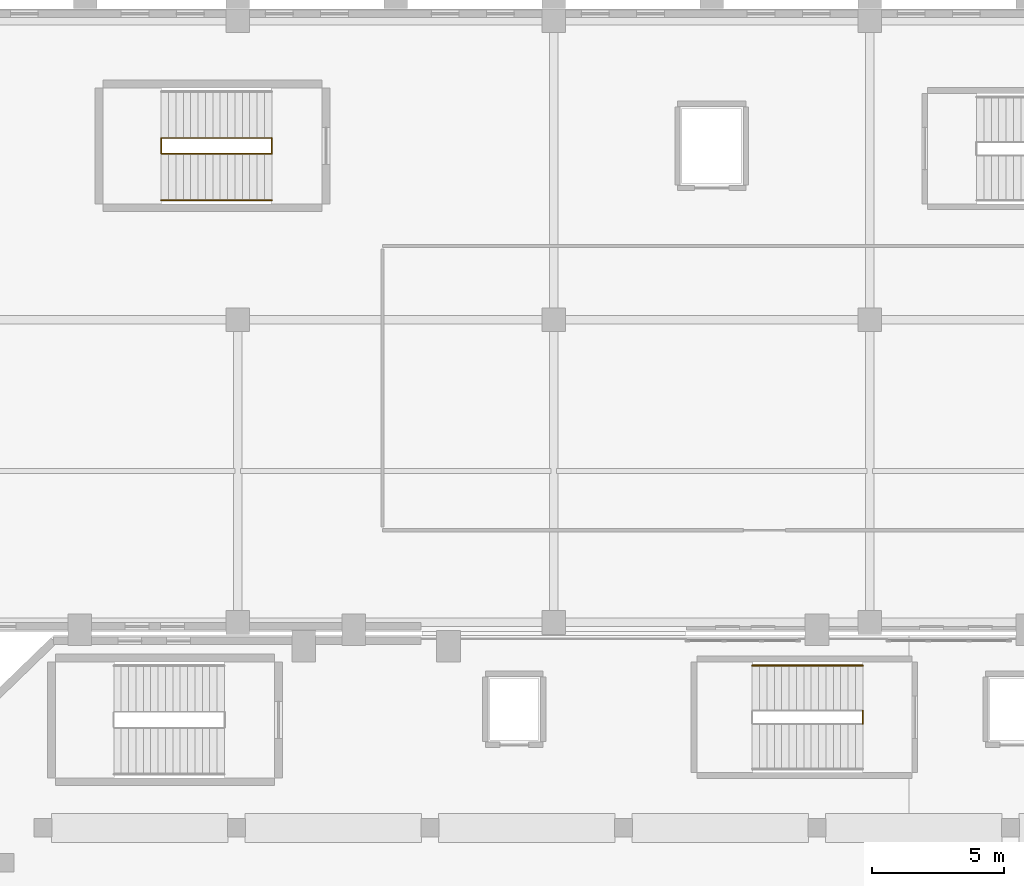
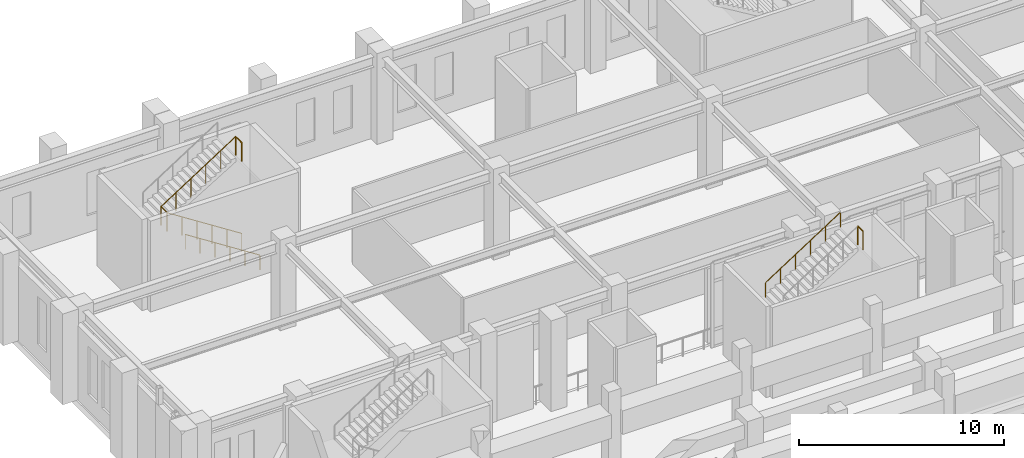
# One storey, part 151 of 159: 5 railings.
"""IFC4 building model written with IfcOpenShell, lengths in metres."""

import ifcopenshell
import ifcopenshell.guid

model = None  # the IFC model being written
_history = None  # IfcOwnerHistory: only IFC2X3 demands one
_inside = {}  # id of a spatial element -> (the spatial element, [elements in it])
_under = {}  # id of a project, library or spatial element -> (it, [spatial elements below it])
_declared = {}  # id of a project -> (the project, [libraries it declares])
_typed = {}  # id of a type object -> (the type object, [elements of that type])
_made_of = {}  # id of a material, layer set ... -> (it, [elements and type objects made of it])


def new_model(schema):
    """Start an empty IFC model of exactly this schema.

    Asked for "IFC4X3", IfcOpenShell would pick the latest addendum, in which some entities
    have other attributes; the version numbers below select the first issue.
    IFC2X3 requires an IfcOwnerHistory on every rooted entity: one is made here for all.
    """
    global model, _history
    if schema == "IFC4X3":
        model = ifcopenshell.file(schema_version=(4, 3, 0, 0))
    else:
        model = ifcopenshell.file(schema=schema)
    _inside.clear()
    _under.clear()
    _declared.clear()
    _typed.clear()
    _made_of.clear()
    _history = None
    if model.schema == "IFC2X3":
        org = make("IfcOrganization", Name="unknown")
        user = make(
            "IfcPersonAndOrganization",
            ThePerson=make("IfcPerson", FamilyName="unknown"),
            TheOrganization=org,
        )
        app = make(
            "IfcApplication",
            ApplicationDeveloper=org,
            Version="unknown",
            ApplicationFullName="unknown",
            ApplicationIdentifier="unknown",
        )
        _history = make(
            "IfcOwnerHistory",
            OwningUser=user,
            OwningApplication=app,
            ChangeAction="ADDED",
            CreationDate=0,
        )
    return model


def make(cls, **values):
    """One entity of the class cls with the attributes given. An attribute that is None is left unset."""
    return model.create_entity(
        cls, **{name: value for name, value in values.items() if value is not None}
    )


def rooted(cls, **values):
    """An entity with a GlobalId (a new one), such as an element, a storey or a relation."""
    return make(cls, GlobalId=ifcopenshell.guid.new(), OwnerHistory=_history, **values)


def si_unit(unit_type, name, prefix=None):
    """IfcSIUnit, for example si_unit("LENGTHUNIT", "METRE", prefix="MILLI")."""
    return make("IfcSIUnit", UnitType=unit_type, Prefix=prefix, Name=name)


def derived_unit(unit_type, elements):
    """IfcDerivedUnit: a product of units, each with its exponent."""
    return make(
        "IfcDerivedUnit",
        Elements=[
            make("IfcDerivedUnitElement", Unit=unit, Exponent=power)
            for unit, power in elements
        ],
        UnitType=unit_type,
    )


def assignment(units):
    """IfcUnitAssignment: the units of a project."""
    return None if units is None else make("IfcUnitAssignment", Units=units)


def point(xyz):
    """IfcCartesianPoint."""
    return None if xyz is None else make("IfcCartesianPoint", Coordinates=xyz)


def direction(xyz):
    """IfcDirection."""
    return None if xyz is None else make("IfcDirection", DirectionRatios=xyz)


def frame(location, z_axis=None, x_axis=None):
    """IfcAxis2Placement3D, a coordinate frame: its origin and axes. An axis left out is left unset."""
    return make(
        "IfcAxis2Placement3D",
        Location=point(location),
        Axis=direction(z_axis),
        RefDirection=direction(x_axis),
    )


def frame_2d(location, x_axis=None):
    """IfcAxis2Placement2D, a coordinate frame in the plane: its origin and x axis."""
    return make(
        "IfcAxis2Placement2D", Location=point(location), RefDirection=direction(x_axis)
    )


def origin():
    """The frame at (0, 0, 0) with its axes left unset."""
    return frame((0.0, 0.0, 0.0))


def origin_2d():
    """The frame at (0, 0) in the plane with its x axis left unset."""
    return frame_2d((0.0, 0.0))


def place(relative_to, where):
    """IfcLocalPlacement: puts the frame where relative to a parent placement (None: the world)."""
    return make(
        "IfcLocalPlacement", PlacementRelTo=relative_to, RelativePlacement=where
    )


def context(
    kind, dimensions, precision=None, world=None, true_north=None, identifier=None
):
    """IfcGeometricRepresentationContext, for example the 3D "Model" context."""
    return make(
        "IfcGeometricRepresentationContext",
        ContextIdentifier=identifier,
        ContextType=kind,
        CoordinateSpaceDimension=dimensions,
        Precision=precision,
        WorldCoordinateSystem=world,
        TrueNorth=true_north,
    )


def subcontext(parent, identifier, kind, view, scale=None):
    """IfcGeometricRepresentationSubContext, for example "Body" below "Model"."""
    return make(
        "IfcGeometricRepresentationSubContext",
        ContextIdentifier=identifier,
        ContextType=kind,
        ParentContext=parent,
        TargetScale=scale,
        TargetView=view,
    )


def project(units=None, contexts=None):
    """IfcProject with its units and contexts."""
    return rooted(
        "IfcProject",
        Name="project",
        RepresentationContexts=contexts,
        UnitsInContext=assignment(units),
    )


def spatial(cls, under=None, at=None, **own):
    """A site, building, storey or space (cls), placed at a placement, below another one or the project."""
    s = rooted(cls, ObjectPlacement=at, **own)
    if under is not None:
        _under.setdefault(under.id(), (under, []))[1].append(s)
    return s


def profile(cls, at=None, kind="AREA", **sizes):
    """A parametric profile (cls). Its sizes go by their IFC names, for example OverallWidth=200.0."""
    return make(cls, ProfileType=kind, Position=at, **sizes)


def circle(**sizes):
    """IfcCircleProfileDef."""
    return profile("IfcCircleProfileDef", **sizes)


def extrude(swept, where, along, depth):
    """IfcExtrudedAreaSolid: the profile swept, set in the frame where, extruded along a direction by depth."""
    return make(
        "IfcExtrudedAreaSolid",
        SweptArea=swept,
        Position=where,
        ExtrudedDirection=direction(along),
        Depth=depth,
    )


def shape(context_of_items, identifier, shape_type, items):
    """IfcShapeRepresentation: the items that make up one representation, for example the "Body"."""
    return make(
        "IfcShapeRepresentation",
        ContextOfItems=context_of_items,
        RepresentationIdentifier=identifier,
        RepresentationType=shape_type,
        Items=items,
    )


def material(Name=None, Category=None):
    """IfcMaterial."""
    return make("IfcMaterial", Name=Name, Category=Category)


def made_of(thing, what):
    """Note that an element or type object is made of a material, layer set ...; save() writes the relation."""
    if what is not None:
        _made_of.setdefault(what.id(), (what, []))[1].append(thing)
    return thing


def type_object(cls, material=None, **own):
    """A type object (cls), such as IfcWallType, which elements share."""
    return made_of(rooted(cls, **own), material)


def element(
    cls,
    number,
    at=None,
    inside=None,
    cuts=None,
    type_object=None,
    material=None,
    context=None,
    identifier="Body",
    shape_type=None,
    held_by="IfcProductDefinitionShape",
    body=None,
    shapes=None,
    **own,
):
    """One element of the class cls, such as IfcWall. Its Tag is "e" and its number.

    at: its placement. inside: the storey or other place that contains it. cuts: it is an
    opening in that element (IfcRelVoidsElement). A single representation is given by context,
    identifier, shape_type and body (its items); several are given by shapes. held_by: the class
    of the entity that holds the representations. save() writes the other relations.
    """
    e = rooted(cls, Tag="e%d" % number, ObjectPlacement=at, **own)
    if body is not None:
        shapes = [shape(context, identifier, shape_type, body)]
    if shapes is not None:
        e.Representation = make(held_by, Representations=shapes)
    if inside is not None:
        _inside.setdefault(inside.id(), (inside, []))[1].append(e)
    if cuts is not None:
        rooted(
            "IfcRelVoidsElement", RelatingBuildingElement=cuts, RelatedOpeningElement=e
        )
    if type_object is not None:
        _typed.setdefault(type_object.id(), (type_object, []))[1].append(e)
    return made_of(e, material)


def aggregate(whole, parts):
    """IfcRelAggregates: a whole, such as a stair, and the parts it consists of."""
    return rooted("IfcRelAggregates", RelatingObject=whole, RelatedObjects=parts)


def save(model, path):
    """Write the relations noted so far, then the file.

    IfcRelAggregates (storeys below a building ...), IfcRelContainedInSpatialStructure (elements
    in a storey), IfcRelDefinesByType, IfcRelAssociatesMaterial and IfcRelDeclares: one each for
    every whole, place, type object, material and project.
    """
    for whole, parts in _under.values():
        aggregate(whole, parts)
    for where, things in _inside.values():
        rooted(
            "IfcRelContainedInSpatialStructure",
            RelatedElements=things,
            RelatingStructure=where,
        )
    for kind, things in _typed.values():
        rooted("IfcRelDefinesByType", RelatedObjects=things, RelatingType=kind)
    for what, things in _made_of.values():
        rooted("IfcRelAssociatesMaterial", RelatedObjects=things, RelatingMaterial=what)
    for by, libraries in _declared.values():
        rooted("IfcRelDeclares", RelatingContext=by, RelatedDefinitions=libraries)
    model.write(path)


model = new_model("IFC4")

# Units and contexts
model_context = context("Model", 3, precision=1e-05, world=origin(), true_north=direction((0.0, 1.0)))
body_context = subcontext(model_context, "Body", "Model", "MODEL_VIEW")
ifc_project = project(units=[si_unit("LENGTHUNIT", "METRE"), si_unit("AREAUNIT", "SQUARE_METRE"), si_unit("VOLUMEUNIT", "CUBIC_METRE"), si_unit("PLANEANGLEUNIT", "RADIAN"), si_unit("MASSUNIT", "GRAM", prefix="KILO"), derived_unit("THERMALTRANSMITTANCEUNIT", [(si_unit("MASSUNIT", "GRAM", prefix="KILO"), 1), (si_unit("TIMEUNIT", "SECOND"), -3), (si_unit("THERMODYNAMICTEMPERATUREUNIT", "KELVIN"), -1)])], contexts=[model_context])

# Site, building, storey
site_placement = place(None, origin())
site = spatial("IfcSite", under=ifc_project, at=site_placement, CompositionType="ELEMENT")
building_placement = place(site_placement, origin())
building = spatial("IfcBuilding", under=site, at=building_placement, Name="Valcora Ridge Arena", CompositionType="ELEMENT")
storey_placement = place(building_placement, frame((0.0, 0.0, 6.0)))
storey = spatial("IfcBuildingStorey", under=building, at=storey_placement, Name="L01", CompositionType="ELEMENT", Elevation=6.0)

# Railings
ifc_material = material(Name="Galvanized painted steel ASTM A500 Grade B", Category="steel")
railing_type_1 = type_object("IfcRailingType", Name="TY-RAILING-GRD-STAIR-1120", PredefinedType="GUARDRAIL", material=ifc_material)
railing_1_placement = place(storey_placement, frame((37.2900390625, 126.5, 0.0)))
element("IfcRailing", 1, at=railing_1_placement, inside=storey, type_object=railing_type_1, Name="GRD-STAIR-1120 RAL-SG-0077", PredefinedType="GUARDRAIL", context=body_context, shape_type="SweptSolid", body=[
    extrude(circle(Radius=0.02392578125, at=origin_2d()), frame((0.0, 0.0, 1.09619140625), z_axis=(-0.841180064094, 0.0, 0.540755119968), x_axis=(0.0, -1.0, 0.0)), (0.0, 0.0, 1.0), 4.992919921875),
    extrude(circle(Radius=0.02392578125, at=origin_2d()), frame((-4.199951171875, 0.0, 3.7958984375), z_axis=(0.0, 1.0, 0.0), x_axis=(-1.0, 0.0, 0.0)), (0.0, 0.0, 1.0), 0.60009765625),
    extrude(circle(Radius=0.02392578125, at=origin_2d()), frame((-4.199951171875, 0.60009765625, 3.7958984375), z_axis=(0.841180064094, 0.0, 0.540755119968), x_axis=(0.0, 1.0, 0.0)), (0.0, 0.0, 1.0), 4.992919921875),
    extrude(circle(Radius=0.02099609375, at=origin_2d()), origin(), (0.0, 0.0, 1.0), 1.072021484375),
    extrude(circle(Radius=0.02099609375, at=origin_2d()), frame((-0.840087890625, 0.0, 0.5400390625)), (0.0, 0.0, 1.0), 1.072021484375),
    extrude(circle(Radius=0.02099609375, at=origin_2d()), frame((-1.679931640625, 0.0, 1.080078125)), (0.0, 0.0, 1.0), 1.072021484375),
    extrude(circle(Radius=0.02099609375, at=origin_2d()), frame((-2.52001953125, 0.0, 1.619873046875)), (0.0, 0.0, 1.0), 1.072021484375),
    extrude(circle(Radius=0.02099609375, at=origin_2d()), frame((-3.35986328125, 0.0, 2.159912109375)), (0.0, 0.0, 1.0), 1.072021484375),
    extrude(circle(Radius=0.02099609375, at=origin_2d()), frame((-4.199951171875, 0.0, 2.699951171875)), (0.0, 0.0, 1.0), 1.072021484375),
    extrude(circle(Radius=0.02099609375, at=origin_2d()), frame((-4.199951171875, 0.60009765625, 2.699951171875)), (0.0, 0.0, 1.0), 1.072021484375),
    extrude(circle(Radius=0.02099609375, at=origin_2d()), frame((-3.35986328125, 0.60009765625, 3.239990234375)), (0.0, 0.0, 1.0), 1.072021484375),
    extrude(circle(Radius=0.02099609375, at=origin_2d()), frame((-2.52001953125, 0.60009765625, 3.780029296875)), (0.0, 0.0, 1.0), 1.072021484375),
    extrude(circle(Radius=0.02099609375, at=origin_2d()), frame((-1.679931640625, 0.60009765625, 4.31982421875)), (0.0, 0.0, 1.0), 1.072021484375),
    extrude(circle(Radius=0.02099609375, at=origin_2d()), frame((-0.840087890625, 0.60009765625, 4.85986328125)), (0.0, 0.0, 1.0), 1.072021484375),
    extrude(circle(Radius=0.02099609375, at=origin_2d()), frame((0.0, 0.60009765625, 5.39990234375)), (0.0, 0.0, 1.0), 1.072021484375),
])
railing_2_placement = place(storey_placement, frame((37.2900390625, 126.5, 5.39990234375)))
element("IfcRailing", 2, at=railing_2_placement, inside=storey, type_object=railing_type_1, Name="GRD-STAIR-1120 RAL-SG-0078", PredefinedType="GUARDRAIL", context=body_context, shape_type="SweptSolid", body=[
    extrude(circle(Radius=0.02392578125, at=origin_2d()), frame((0.0, 0.0, 1.09619140625), z_axis=(0.0, 1.0, 0.0), x_axis=(-1.0, 0.0, 0.0)), (0.0, 0.0, 1.0), 0.60009765625),
    extrude(circle(Radius=0.02099609375, at=origin_2d()), origin(), (0.0, 0.0, 1.0), 1.072021484375),
    extrude(circle(Radius=0.02099609375, at=origin_2d()), frame((0.0, 0.60009765625, 0.0)), (0.0, 0.0, 1.0), 1.072021484375),
])
railing_3_placement = place(storey_placement, frame((59.739990234375, 104.85009765625, 5.39990234375)))
element("IfcRailing", 3, at=railing_3_placement, inside=storey, type_object=railing_type_1, Name="GRD-STAIR-1120 RAL-SG-0116", PredefinedType="GUARDRAIL", context=body_context, shape_type="SweptSolid", body=[
    extrude(circle(Radius=0.02392578125, at=origin_2d()), frame((0.0, 0.0, 1.09619140625), z_axis=(0.0, 1.0, 0.0), x_axis=(-1.0, 0.0, 0.0)), (0.0, 0.0, 1.0), 0.5),
    extrude(circle(Radius=0.02099609375, at=origin_2d()), origin(), (0.0, 0.0, 1.0), 1.072021484375),
    extrude(circle(Radius=0.02099609375, at=origin_2d()), frame((0.0, 0.5, 0.0)), (0.0, 0.0, 1.0), 1.072021484375),
])
railing_type_2 = type_object("IfcRailingType", Name="TY-RAILING-HR-STAIR-900", PredefinedType="HANDRAIL", material=ifc_material)
railing_4_placement = place(storey_placement, frame((37.2900390625, 124.739990234375, 0.0)))
element("IfcRailing", 4, at=railing_4_placement, inside=storey, type_object=railing_type_2, Name="HR-STAIR-900 RAL-SH-0077", PredefinedType="HANDRAIL", context=body_context, shape_type="SweptSolid", body=[
    extrude(circle(Radius=0.02392578125, at=origin_2d()), frame((0.0, 0.0, 0.8759765625), z_axis=(-0.841180064094, 0.0, 0.540755119968), x_axis=(0.0, -1.0, 0.0)), (0.0, 0.0, 1.0), 4.992919921875),
    extrude(circle(Radius=0.02099609375, at=origin_2d()), origin(), (0.0, 0.0, 1.0), 0.851806640625),
    extrude(circle(Radius=0.02099609375, at=origin_2d()), frame((-0.840087890625, 0.0, 0.5400390625)), (0.0, 0.0, 1.0), 0.851806640625),
    extrude(circle(Radius=0.02099609375, at=origin_2d()), frame((-1.679931640625, 0.0, 1.080078125)), (0.0, 0.0, 1.0), 0.851806640625),
    extrude(circle(Radius=0.02099609375, at=origin_2d()), frame((-2.52001953125, 0.0, 1.619873046875)), (0.0, 0.0, 1.0), 0.851806640625),
    extrude(circle(Radius=0.02099609375, at=origin_2d()), frame((-3.35986328125, 0.0, 2.159912109375)), (0.0, 0.0, 1.0), 0.851806640625),
    extrude(circle(Radius=0.02099609375, at=origin_2d()), frame((-4.199951171875, 0.0, 2.699951171875)), (0.0, 0.0, 1.0), 0.851806640625),
])
railing_5_placement = place(storey_placement, frame((55.5400390625, 107.06005859375, 2.699951171875)))
element("IfcRailing", 5, at=railing_5_placement, inside=storey, type_object=railing_type_2, Name="HR-STAIR-900 RAL-SH-0116", PredefinedType="HANDRAIL", context=body_context, shape_type="SweptSolid", body=[
    extrude(circle(Radius=0.02392578125, at=origin_2d()), frame((0.0, 0.0, 0.8759765625), z_axis=(0.841180064094, 0.0, 0.540755119968), x_axis=(0.0, 1.0, 0.0)), (0.0, 0.0, 1.0), 4.992919921875),
    extrude(circle(Radius=0.02099609375, at=origin_2d()), origin(), (0.0, 0.0, 1.0), 0.851806640625),
    extrude(circle(Radius=0.02099609375, at=origin_2d()), frame((0.840087890625, 0.0, 0.5400390625)), (0.0, 0.0, 1.0), 0.851806640625),
    extrude(circle(Radius=0.02099609375, at=origin_2d()), frame((1.679931640625, 0.0, 1.080078125)), (0.0, 0.0, 1.0), 0.851806640625),
    extrude(circle(Radius=0.02099609375, at=origin_2d()), frame((2.52001953125, 0.0, 1.619873046875)), (0.0, 0.0, 1.0), 0.851806640625),
    extrude(circle(Radius=0.02099609375, at=origin_2d()), frame((3.35986328125, 0.0, 2.159912109375)), (0.0, 0.0, 1.0), 0.851806640625),
    extrude(circle(Radius=0.02099609375, at=origin_2d()), frame((4.199951171875, 0.0, 2.699951171875)), (0.0, 0.0, 1.0), 0.851806640625),
])

save(model, "model.ifc")
